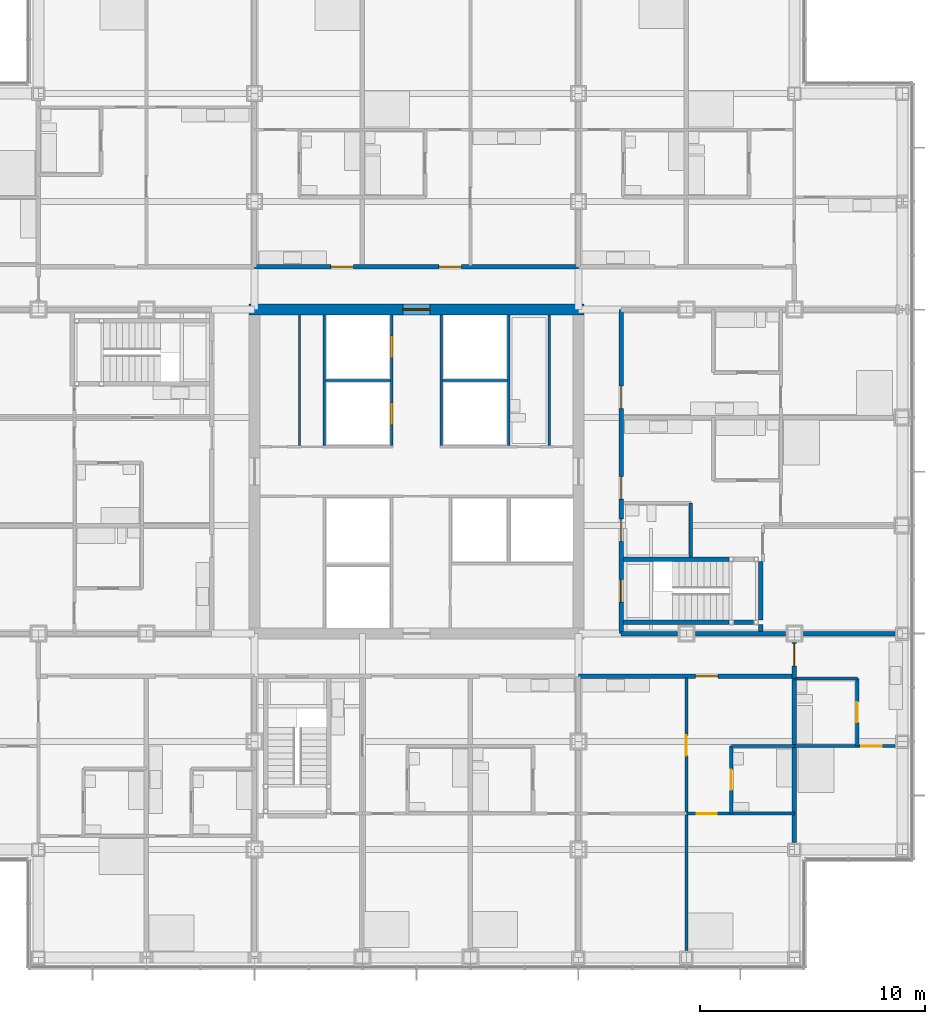
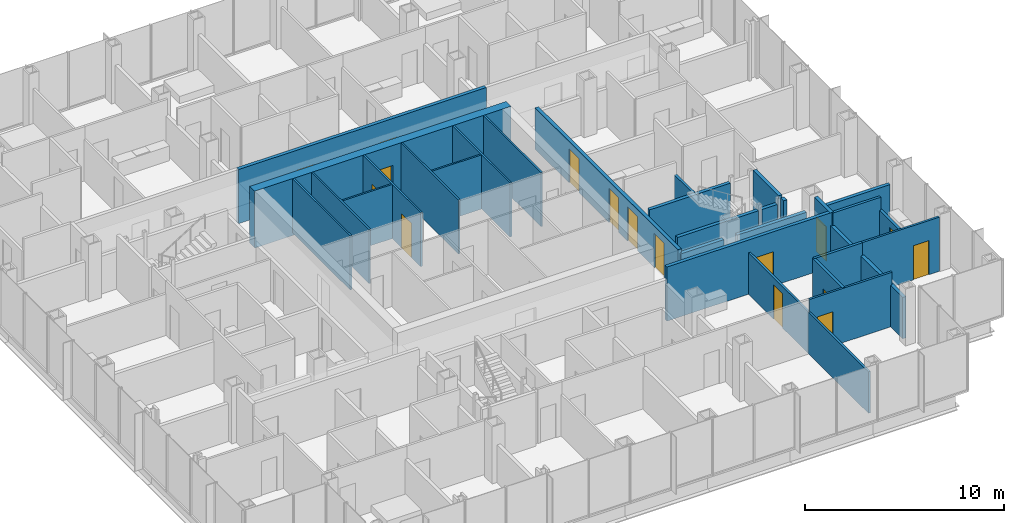
# One storey, part 16 of 21: 31 walls, 16 doors, 16 openings.
"""IFC4 building model written with IfcOpenShell, lengths in metres."""

from ifc_helpers import new_model, si_unit, direction, frame, frame_2d, origin, place, context, subcontext, project, spatial, rectangle, extrude, material, layer, layer_set, type_object, element, fill, save


model = new_model("IFC4")

# Units and contexts
model_context = context("Model", 3, precision=1e-05, world=origin(), true_north=direction((0.0, 1.0)))
body_context = subcontext(model_context, "Body", "Model", "MODEL_VIEW")
ifc_project = project(units=[si_unit("LENGTHUNIT", "METRE"), si_unit("AREAUNIT", "SQUARE_METRE"), si_unit("VOLUMEUNIT", "CUBIC_METRE"), si_unit("PLANEANGLEUNIT", "RADIAN"), si_unit("MASSUNIT", "GRAM", prefix="KILO")], contexts=[model_context])

# Site, building, storey
site_placement = place(None, origin())
site = spatial("IfcSite", under=ifc_project, at=site_placement, CompositionType="ELEMENT")
building_placement = place(site_placement, origin())
building = spatial("IfcBuilding", under=site, at=building_placement, Name="Kvirike Care Tower", CompositionType="ELEMENT")
storey_placement = place(building_placement, frame((0.0, 0.0, 27.0)))
storey = spatial("IfcBuildingStorey", under=building, at=storey_placement, Name="L06", CompositionType="ELEMENT", Elevation=27.0)

# Wall, opening, door
ifc_material_1 = material(Name="Moisture-resistant board partition", Category="gypsum")
ifc_layer_1 = layer(ifc_material_1, 0.14990234375)
ifc_layer_set_1 = layer_set([ifc_layer_1], Name="BATHROOM WALL 150")
wall_type_1 = type_object("IfcWallType", Name="BATHROOM WALL 150", PredefinedType="PARTITIONING", material=ifc_layer_set_1)
wall_1_placement = place(storey_placement, frame((35.60009765625, 20.800048828125, 0.0), z_axis=(0.0, 0.0, 1.0), x_axis=(0.0, 1.0, 0.0)))
wall_1 = element("IfcWall", 1, at=wall_1_placement, inside=storey, type_object=wall_type_1, Name="Bathroom Wall 150 L06", PredefinedType="PARTITIONING", context=body_context, shape_type="SweptSolid", body=[
    extrude(rectangle(XDim=3.0, YDim=0.14990234375, at=frame_2d((1.5, 0.0))), origin(), (0.0, 0.0, 1.0), 3.330078125),
])
opening_1_placement = place(wall_1_placement, frame((1.050048828125, 0.0, 0.0)))
opening_1 = element("IfcOpeningElement", 2, at=opening_1_placement, cuts=wall_1, Name="Opening 06-043", PredefinedType="OPENING", context=body_context, shape_type="SweptSolid", body=[
    extrude(rectangle(XDim=0.89990234375, YDim=2.10009765625, at=frame_2d((0.449951171875, 1.050048828125))), frame((0.0, 0.08544921875, 0.0), z_axis=(0.0, -1.0, 0.0), x_axis=(1.0, 0.0, 0.0)), (0.0, 0.0, 1.0), 0.1708984375),
])
ifc_material_2 = material(Name="Timber door set", Category="wood")
door_type_1 = type_object("IfcDoorType", Name="BATHROOM DOOR 900", OperationType="SINGLE_SWING_RIGHT", PredefinedType="DOOR", material=ifc_material_2)
door_1_placement = place(opening_1_placement, frame((0.89990234375, 0.0, 0.0), z_axis=(0.0, 0.0, 1.0), x_axis=(-1.0, 0.0, 0.0)))
door_1 = element("IfcDoor", 3, at=door_1_placement, inside=storey, type_object=door_type_1, Name="Bathroom door", OperationType="SINGLE_SWING_LEFT", OverallHeight=2.10009765625, OverallWidth=0.89990234375, PredefinedType="DOOR", context=body_context, shape_type="SweptSolid", body=[
    extrude(rectangle(XDim=0.89990234375, YDim=2.10009765625, at=frame_2d((0.449951171875, 1.050048828125))), frame((0.0, 0.02197265625, 0.0), z_axis=(0.0, -1.0, 0.0), x_axis=(1.0, 0.0, 0.0)), (0.0, 0.0, 1.0), 0.0439453125),
])
fill(opening_1, door_1)

# Wall
wall_2_placement = place(storey_placement, frame((35.60009765625, 23.800048828125, 0.0), z_axis=(0.0, 0.0, 1.0), x_axis=(1.0, 0.0, 0.0)))
element("IfcWall", 4, at=wall_2_placement, inside=storey, type_object=wall_type_1, Name="Bathroom Wall 150 L06", PredefinedType="PARTITIONING", context=body_context, shape_type="SweptSolid", body=[
    extrude(rectangle(XDim=2.7998046875, YDim=0.14990234375, at=frame_2d((1.39990234375, 0.0))), origin(), (0.0, 0.0, 1.0), 3.330078125),
])

# Wall, opening, door
wall_3_placement = place(storey_placement, frame((41.199951171875, 23.800048828125, 0.0), z_axis=(0.0, 0.0, 1.0), x_axis=(0.0, 1.0, 0.0)))
wall_3 = element("IfcWall", 5, at=wall_3_placement, inside=storey, type_object=wall_type_1, Name="Bathroom Wall 150 L06", PredefinedType="PARTITIONING", context=body_context, shape_type="SweptSolid", body=[
    extrude(rectangle(XDim=3.0, YDim=0.14990234375, at=frame_2d((1.5, 0.0))), origin(), (0.0, 0.0, 1.0), 2.550048828125),
])
opening_2_placement = place(wall_3_placement, frame((1.050048828125, 0.0, 0.0)))
opening_2 = element("IfcOpeningElement", 6, at=opening_2_placement, cuts=wall_3, Name="Opening 06-047", PredefinedType="OPENING", context=body_context, shape_type="SweptSolid", body=[
    extrude(rectangle(XDim=0.89990234375, YDim=2.10009765625, at=frame_2d((0.449951171875, 1.050048828125))), frame((0.0, 0.08544921875, 0.0), z_axis=(0.0, -1.0, 0.0), x_axis=(1.0, 0.0, 0.0)), (0.0, 0.0, 1.0), 0.1708984375),
])
door_2_placement = place(opening_2_placement, origin())
door_2 = element("IfcDoor", 7, at=door_2_placement, inside=storey, type_object=door_type_1, Name="Bathroom door", OperationType="SINGLE_SWING_RIGHT", OverallHeight=2.10009765625, OverallWidth=0.89990234375, PredefinedType="DOOR", context=body_context, shape_type="SweptSolid", body=[
    extrude(rectangle(XDim=0.89990234375, YDim=2.10009765625, at=frame_2d((0.449951171875, 1.050048828125))), frame((0.0, 0.02197265625, 0.0), z_axis=(0.0, -1.0, 0.0), x_axis=(1.0, 0.0, 0.0)), (0.0, 0.0, 1.0), 0.0439453125),
])
fill(opening_2, door_2)

# Walls
wall_4_placement = place(storey_placement, frame((38.39990234375, 26.800048828125, 0.0), z_axis=(0.0, 0.0, 1.0), x_axis=(1.0, 0.0, 0.0)))
element("IfcWall", 8, at=wall_4_placement, inside=storey, type_object=wall_type_1, Name="Bathroom Wall 150 L06", PredefinedType="PARTITIONING", context=body_context, shape_type="SweptSolid", body=[
    extrude(rectangle(XDim=2.800048828125, YDim=0.14990234375, at=frame_2d((1.39990234375, 0.0))), origin(), (0.0, 0.0, 1.0), 3.330078125),
])
wall_5_placement = place(storey_placement, frame((33.800048828125, 32.199951171875, 0.0), z_axis=(0.0, 0.0, 1.0), x_axis=(0.0, 1.0, 0.0)))
element("IfcWall", 9, at=wall_5_placement, inside=storey, type_object=wall_type_1, Name="Bathroom Wall 150 L06", PredefinedType="PARTITIONING", context=body_context, shape_type="SweptSolid", body=[
    extrude(rectangle(XDim=2.400146484375, YDim=0.14990234375, at=frame_2d((1.2001953125, 0.0))), origin(), (0.0, 0.0, 1.0), 2.550048828125),
])

# Wall, opening, door
ifc_material_3 = material(Name="Concrete C60/75", Category="concrete")
ifc_layer_2 = layer(ifc_material_3, 0.5)
ifc_layer_set_2 = layer_set([ifc_layer_2], Name="CORE WALL 500 C60-75")
wall_type_2 = type_object("IfcWallType", Name="CORE WALL 500 C60-75", PredefinedType="SHEAR", material=ifc_layer_set_2)
wall_6_placement = place(storey_placement, frame((29.050048828125, 43.199951171875, -0.169921875), z_axis=(0.0, 0.0, 1.0), x_axis=(-1.0, 0.0, 0.0)))
wall_6 = element("IfcWall", 10, at=wall_6_placement, inside=storey, type_object=wall_type_2, Name="Core wall N L06", PredefinedType="SHEAR", context=body_context, shape_type="SweptSolid", body=[
    extrude(rectangle(XDim=14.900146484375, YDim=0.5, at=frame_2d((7.4501953125, 0.0))), origin(), (0.0, 0.0, 1.0), 3.5),
])
opening_3_placement = place(wall_6_placement, frame((6.85009765625, 0.0, 0.169921875)))
opening_3 = element("IfcOpeningElement", 11, at=opening_3_placement, cuts=wall_6, Name="Opening 06-082", PredefinedType="OPENING", context=body_context, shape_type="SweptSolid", body=[
    extrude(rectangle(XDim=1.199951171875, YDim=2.10009765625, at=frame_2d((0.60009765625, 1.050048828125))), frame((0.0, 0.260498046875, 0.0), z_axis=(0.0, -1.0, 0.0), x_axis=(1.0, 0.0, 0.0)), (0.0, 0.0, 1.0), 0.52099609375),
])
ifc_material_4 = material(Name="Timber door set", Category="wood")
door_type_2 = type_object("IfcDoorType", Name="CORE DOOR 1200", OperationType="SINGLE_SWING_LEFT", PredefinedType="DOOR", material=ifc_material_4)
door_3_placement = place(opening_3_placement, origin())
door_3 = element("IfcDoor", 12, at=door_3_placement, inside=storey, type_object=door_type_2, Name="Core door N L06", OperationType="SINGLE_SWING_LEFT", OverallHeight=2.10009765625, OverallWidth=1.199951171875, PredefinedType="DOOR", context=body_context, shape_type="SweptSolid", body=[
    extrude(rectangle(XDim=1.199951171875, YDim=2.10009765625, at=frame_2d((0.60009765625, 1.050048828125))), frame((0.0, 0.02685546875, 0.0), z_axis=(0.0, -1.0, 0.0), x_axis=(1.0, 0.0, 0.0)), (0.0, 0.0, 1.0), 0.053955078125),
])
fill(opening_3, door_3)

# Wall, openings, doors
ifc_material_5 = material(Name="Plasterboard corridor wall", Category="gypsum")
ifc_layer_3 = layer(ifc_material_5, 0.199951171875)
ifc_layer_set_3 = layer_set([ifc_layer_3], Name="CORRIDOR WALL 200")
wall_type_3 = type_object("IfcWallType", Name="CORRIDOR WALL 200", PredefinedType="PARTITIONING", material=ifc_layer_set_3)
wall_7_placement = place(storey_placement, frame((28.800048828125, 45.10009765625, 0.0), z_axis=(0.0, 0.0, 1.0), x_axis=(-1.0, 0.0, 0.0)))
wall_7 = element("IfcWall", 13, at=wall_7_placement, inside=storey, type_object=wall_type_3, Name="Corridor Wall 200 L06", PredefinedType="PARTITIONING", context=body_context, shape_type="SweptSolid", body=[
    extrude(rectangle(XDim=14.400146484375, YDim=0.199951171875, at=frame_2d((7.2001953125, 0.0))), origin(), (0.0, 0.0, 1.0), 3.330078125),
])
opening_4_placement = place(wall_7_placement, frame((5.199951171875, 0.0, 0.0)))
opening_4 = element("IfcOpeningElement", 14, at=opening_4_placement, cuts=wall_7, Name="Opening 06-041", PredefinedType="OPENING", context=body_context, shape_type="SweptSolid", body=[
    extrude(rectangle(XDim=1.0, YDim=2.10009765625, at=frame_2d((0.5, 1.050048828125))), frame((0.0, 0.110595703125, 0.0), z_axis=(0.0, -1.0, 0.0), x_axis=(1.0, 0.0, 0.0)), (0.0, 0.0, 1.0), 0.220947265625),
])
opening_5_placement = place(wall_7_placement, frame((10.0, 0.0, 0.0)))
opening_5 = element("IfcOpeningElement", 15, at=opening_5_placement, cuts=wall_7, Name="Opening 06-042", PredefinedType="OPENING", context=body_context, shape_type="SweptSolid", body=[
    extrude(rectangle(XDim=1.0, YDim=2.10009765625, at=frame_2d((0.5, 1.050048828125))), frame((0.0, 0.110595703125, 0.0), z_axis=(0.0, -1.0, 0.0), x_axis=(1.0, 0.0, 0.0)), (0.0, 0.0, 1.0), 0.220947265625),
])
ifc_material_6 = material(Name="Timber door set", Category="wood")
door_type_3 = type_object("IfcDoorType", Name="FLAT ENTRANCE DOOR 1000", OperationType="SINGLE_SWING_LEFT", PredefinedType="DOOR", material=ifc_material_6)
door_4_placement = place(opening_4_placement, frame((1.0, 0.0, 0.0), z_axis=(0.0, 0.0, 1.0), x_axis=(-1.0, 0.0, 0.0)))
door_4 = element("IfcDoor", 16, at=door_4_placement, inside=storey, type_object=door_type_3, Name="One-bedroom apartment entrance", OperationType="SINGLE_SWING_LEFT", OverallHeight=2.10009765625, OverallWidth=1.0, PredefinedType="DOOR", context=body_context, shape_type="SweptSolid", body=[
    extrude(rectangle(XDim=1.0, YDim=2.10009765625, at=frame_2d((0.5, 1.050048828125))), frame((0.0, 0.02685546875, 0.0), z_axis=(0.0, -1.0, 0.0), x_axis=(1.0, 0.0, 0.0)), (0.0, 0.0, 1.0), 0.053955078125),
])
fill(opening_4, door_4)
door_5_placement = place(opening_5_placement, frame((1.0, 0.0, 0.0), z_axis=(0.0, 0.0, 1.0), x_axis=(-1.0, 0.0, 0.0)))
door_5 = element("IfcDoor", 17, at=door_5_placement, inside=storey, type_object=door_type_3, Name="Studio apartment entrance", OperationType="SINGLE_SWING_LEFT", OverallHeight=2.10009765625, OverallWidth=1.0, PredefinedType="DOOR", context=body_context, shape_type="SweptSolid", body=[
    extrude(rectangle(XDim=1.0, YDim=2.10009765625, at=frame_2d((0.5, 1.050048828125))), frame((0.0, 0.02685546875, 0.0), z_axis=(0.0, -1.0, 0.0), x_axis=(1.0, 0.0, 0.0)), (0.0, 0.0, 1.0), 0.053955078125),
])
fill(opening_5, door_5)

# Wall, opening, door
wall_8_placement = place(storey_placement, frame((28.800048828125, 26.89990234375, 0.0), z_axis=(0.0, 0.0, 1.0), x_axis=(1.0, 0.0, 0.0)))
wall_8 = element("IfcWall", 18, at=wall_8_placement, inside=storey, type_object=wall_type_3, Name="Corridor Wall 200 L06", PredefinedType="PARTITIONING", context=body_context, shape_type="SweptSolid", body=[
    extrude(rectangle(XDim=9.599853515625, YDim=0.199951171875, at=frame_2d((4.7998046875, 0.0))), origin(), (0.0, 0.0, 1.0), 3.330078125),
])
opening_6_placement = place(wall_8_placement, frame((5.199951171875, 0.0, 0.0)))
opening_6 = element("IfcOpeningElement", 19, at=opening_6_placement, cuts=wall_8, Name="Opening 06-049", PredefinedType="OPENING", context=body_context, shape_type="SweptSolid", body=[
    extrude(rectangle(XDim=1.0, YDim=2.10009765625, at=frame_2d((0.5, 1.050048828125))), frame((0.0, 0.110595703125, 0.0), z_axis=(0.0, -1.0, 0.0), x_axis=(1.0, 0.0, 0.0)), (0.0, 0.0, 1.0), 0.220947265625),
])
door_6_placement = place(opening_6_placement, frame((1.0, 0.0, 0.0), z_axis=(0.0, 0.0, 1.0), x_axis=(-1.0, 0.0, 0.0)))
door_6 = element("IfcDoor", 20, at=door_6_placement, inside=storey, type_object=door_type_3, Name="One-bedroom apartment entrance", OperationType="SINGLE_SWING_LEFT", OverallHeight=2.10009765625, OverallWidth=1.0, PredefinedType="DOOR", context=body_context, shape_type="SweptSolid", body=[
    extrude(rectangle(XDim=1.0, YDim=2.10009765625, at=frame_2d((0.5, 1.050048828125))), frame((0.0, 0.02685546875, 0.0), z_axis=(0.0, -1.0, 0.0), x_axis=(1.0, 0.0, 0.0)), (0.0, 0.0, 1.0), 0.053955078125),
])
fill(opening_6, door_6)

wall_9_placement = place(storey_placement, frame((38.39990234375, 26.800048828125, 0.0), z_axis=(0.0, 0.0, 1.0), x_axis=(0.0, 1.0, 0.0)))
wall_9 = element("IfcWall", 21, at=wall_9_placement, inside=storey, type_object=wall_type_3, Name="Corridor Wall 200 L06", PredefinedType="PARTITIONING", context=body_context, shape_type="SweptSolid", body=[
    extrude(rectangle(XDim=1.60498046875, YDim=0.199951171875, at=frame_2d((0.802490234375, 0.0))), origin(), (0.0, 0.0, 1.0), 3.330078125),
])
opening_7_placement = place(wall_9_placement, frame((0.550048828125, 0.0, 0.0)))
opening_7 = element("IfcOpeningElement", 22, at=opening_7_placement, cuts=wall_9, Name="Opening 06-050", PredefinedType="OPENING", context=body_context, shape_type="SweptSolid", body=[
    extrude(rectangle(XDim=1.0, YDim=2.10009765625, at=frame_2d((0.5, 1.050048828125))), frame((0.0, 0.110595703125, 0.0), z_axis=(0.0, -1.0, 0.0), x_axis=(1.0, 0.0, 0.0)), (0.0, 0.0, 1.0), 0.220947265625),
])
door_7_placement = place(opening_7_placement, frame((1.0, 0.0, 0.0), z_axis=(0.0, 0.0, 1.0), x_axis=(-1.0, 0.0, 0.0)))
door_7 = element("IfcDoor", 23, at=door_7_placement, inside=storey, type_object=door_type_3, Name="Studio apartment entrance", OperationType="SINGLE_SWING_RIGHT", OverallHeight=2.10009765625, OverallWidth=1.0, PredefinedType="DOOR", context=body_context, shape_type="SweptSolid", body=[
    extrude(rectangle(XDim=1.0, YDim=2.10009765625, at=frame_2d((0.5, 1.050048828125))), frame((0.0, 0.02685546875, 0.0), z_axis=(0.0, -1.0, 0.0), x_axis=(1.0, 0.0, 0.0)), (0.0, 0.0, 1.0), 0.053955078125),
])
fill(opening_7, door_7)

# Wall, openings, doors
wall_10_placement = place(storey_placement, frame((30.699951171875, 28.800048828125, 0.0), z_axis=(0.0, 0.0, 1.0), x_axis=(0.0, 1.0, 0.0)))
wall_10 = element("IfcWall", 24, at=wall_10_placement, inside=storey, type_object=wall_type_3, Name="Corridor Wall 200 L06", PredefinedType="PARTITIONING", context=body_context, shape_type="SweptSolid", body=[
    extrude(rectangle(XDim=14.39990234375, YDim=0.199951171875, at=frame_2d((7.199951171875, 0.0))), origin(), (0.0, 0.0, 1.0), 2.550048828125),
])
opening_8_placement = place(wall_10_placement, frame((1.39990234375, 0.0, 0.0)))
opening_8 = element("IfcOpeningElement", 25, at=opening_8_placement, cuts=wall_10, Name="Opening 06-056", PredefinedType="OPENING", context=body_context, shape_type="SweptSolid", body=[
    extrude(rectangle(XDim=1.0, YDim=2.10009765625, at=frame_2d((0.5, 1.050048828125))), frame((0.0, 0.110595703125, 0.0), z_axis=(0.0, -1.0, 0.0), x_axis=(1.0, 0.0, 0.0)), (0.0, 0.0, 1.0), 0.220947265625),
])
opening_9_placement = place(wall_10_placement, frame((4.10009765625, 0.0, 0.0)))
opening_9 = element("IfcOpeningElement", 26, at=opening_9_placement, cuts=wall_10, Name="Opening 06-057", PredefinedType="OPENING", context=body_context, shape_type="SweptSolid", body=[
    extrude(rectangle(XDim=1.0, YDim=2.10009765625, at=frame_2d((0.5, 1.050048828125))), frame((0.0, 0.110595703125, 0.0), z_axis=(0.0, -1.0, 0.0), x_axis=(1.0, 0.0, 0.0)), (0.0, 0.0, 1.0), 0.220947265625),
])
opening_10_placement = place(wall_10_placement, frame((5.97509765625, 0.0, 0.0)))
opening_10 = element("IfcOpeningElement", 27, at=opening_10_placement, cuts=wall_10, Name="Opening 06-058", PredefinedType="OPENING", context=body_context, shape_type="SweptSolid", body=[
    extrude(rectangle(XDim=1.0, YDim=2.10009765625, at=frame_2d((0.5, 1.050048828125))), frame((0.0, 0.110595703125, 0.0), z_axis=(0.0, -1.0, 0.0), x_axis=(1.0, 0.0, 0.0)), (0.0, 0.0, 1.0), 0.220947265625),
])
opening_11_placement = place(wall_10_placement, frame((10.0, 0.0, 0.0)))
opening_11 = element("IfcOpeningElement", 28, at=opening_11_placement, cuts=wall_10, Name="Opening 06-059", PredefinedType="OPENING", context=body_context, shape_type="SweptSolid", body=[
    extrude(rectangle(XDim=1.0, YDim=2.10009765625, at=frame_2d((0.5, 1.050048828125))), frame((0.0, 0.110595703125, 0.0), z_axis=(0.0, -1.0, 0.0), x_axis=(1.0, 0.0, 0.0)), (0.0, 0.0, 1.0), 0.220947265625),
])
door_8_placement = place(opening_10_placement, frame((1.0, 0.0, 0.0), z_axis=(0.0, 0.0, 1.0), x_axis=(-1.0, 0.0, 0.0)))
door_8 = element("IfcDoor", 29, at=door_8_placement, inside=storey, type_object=door_type_3, Name="One-bedroom apartment entrance", OperationType="SINGLE_SWING_LEFT", OverallHeight=2.10009765625, OverallWidth=1.0, PredefinedType="DOOR", context=body_context, shape_type="SweptSolid", body=[
    extrude(rectangle(XDim=1.0, YDim=2.10009765625, at=frame_2d((0.5, 1.050048828125))), frame((0.0, 0.02685546875, 0.0), z_axis=(0.0, -1.0, 0.0), x_axis=(1.0, 0.0, 0.0)), (0.0, 0.0, 1.0), 0.053955078125),
])
fill(opening_10, door_8)
door_9_placement = place(opening_11_placement, frame((1.0, 0.0, 0.0), z_axis=(0.0, 0.0, 1.0), x_axis=(-1.0, 0.0, 0.0)))
door_9 = element("IfcDoor", 30, at=door_9_placement, inside=storey, type_object=door_type_3, Name="Studio apartment entrance", OperationType="SINGLE_SWING_LEFT", OverallHeight=2.10009765625, OverallWidth=1.0, PredefinedType="DOOR", context=body_context, shape_type="SweptSolid", body=[
    extrude(rectangle(XDim=1.0, YDim=2.10009765625, at=frame_2d((0.5, 1.050048828125))), frame((0.0, 0.02685546875, 0.0), z_axis=(0.0, -1.0, 0.0), x_axis=(1.0, 0.0, 0.0)), (0.0, 0.0, 1.0), 0.053955078125),
])
fill(opening_11, door_9)
ifc_material_7 = material(Name="Timber door set", Category="wood")
door_type_4 = type_object("IfcDoorType", Name="STAIR DOOR 1000", OperationType="SINGLE_SWING_LEFT", PredefinedType="DOOR", material=ifc_material_7)
door_10_placement = place(opening_8_placement, frame((1.0, 0.0, 0.0), z_axis=(0.0, 0.0, 1.0), x_axis=(-1.0, 0.0, 0.0)))
door_10 = element("IfcDoor", 31, at=door_10_placement, inside=storey, type_object=door_type_4, Name="Stair 2 door", OperationType="SINGLE_SWING_RIGHT", OverallHeight=2.10009765625, OverallWidth=1.0, PredefinedType="DOOR", context=body_context, shape_type="SweptSolid", body=[
    extrude(rectangle(XDim=1.0, YDim=2.10009765625, at=frame_2d((0.5, 1.050048828125))), frame((0.0, 0.031982421875, 0.0), z_axis=(0.0, -1.0, 0.0), x_axis=(1.0, 0.0, 0.0)), (0.0, 0.0, 1.0), 0.06396484375),
])
fill(opening_8, door_10)
ifc_material_8 = material(Name="Timber door set", Category="wood")
door_type_5 = type_object("IfcDoorType", Name="WC DOOR 1000", OperationType="SINGLE_SWING_LEFT", PredefinedType="DOOR", material=ifc_material_8)
door_11_placement = place(opening_9_placement, frame((1.0, 0.0, 0.0), z_axis=(0.0, 0.0, 1.0), x_axis=(-1.0, 0.0, 0.0)))
door_11 = element("IfcDoor", 32, at=door_11_placement, inside=storey, type_object=door_type_5, Name="Accessible WC door", OperationType="SINGLE_SWING_LEFT", OverallHeight=2.10009765625, OverallWidth=1.0, PredefinedType="DOOR", context=body_context, shape_type="SweptSolid", body=[
    extrude(rectangle(XDim=1.0, YDim=2.10009765625, at=frame_2d((0.5, 1.050048828125))), frame((0.0, 0.02685546875, 0.0), z_axis=(0.0, -1.0, 0.0), x_axis=(1.0, 0.0, 0.0)), (0.0, 0.0, 1.0), 0.053955078125),
])
fill(opening_9, door_11)

# Wall, opening, door
ifc_material_9 = material(Name="Plasterboard partition", Category="gypsum")
ifc_layer_4 = layer(ifc_material_9, 0.1201171875)
ifc_layer_set_4 = layer_set([ifc_layer_4], Name="PARTITION 120")
wall_type_4 = type_object("IfcWallType", Name="PARTITION 120", PredefinedType="PARTITIONING", material=ifc_layer_set_4)
wall_11_placement = place(storey_placement, frame((33.60009765625, 20.800048828125, 0.0), z_axis=(0.0, 0.0, 1.0), x_axis=(0.0, 1.0, 0.0)))
wall_11 = element("IfcWall", 33, at=wall_11_placement, inside=storey, type_object=wall_type_4, Name="Partition 120 L06", PredefinedType="PARTITIONING", context=body_context, shape_type="SweptSolid", body=[
    extrude(rectangle(XDim=6.050048828125, YDim=0.1201171875, at=frame_2d((3.02490234375, 0.0))), origin(), (0.0, 0.0, 1.0), 2.550048828125),
])
opening_12_placement = place(wall_11_placement, frame((2.574951171875, 0.0, 0.0)))
opening_12 = element("IfcOpeningElement", 34, at=opening_12_placement, cuts=wall_11, Name="Opening 06-044", PredefinedType="OPENING", context=body_context, shape_type="SweptSolid", body=[
    extrude(rectangle(XDim=0.89990234375, YDim=2.10009765625, at=frame_2d((0.449951171875, 1.050048828125))), frame((0.0, 0.070556640625, 0.0), z_axis=(0.0, -1.0, 0.0), x_axis=(1.0, 0.0, 0.0)), (0.0, 0.0, 1.0), 0.14111328125),
])
ifc_material_10 = material(Name="Timber door set", Category="wood")
door_type_6 = type_object("IfcDoorType", Name="INTERNAL DOOR 900", OperationType="SINGLE_SWING_LEFT", PredefinedType="DOOR", material=ifc_material_10)
door_12_placement = place(opening_12_placement, frame((0.89990234375, 0.0, 0.0), z_axis=(0.0, 0.0, 1.0), x_axis=(-1.0, 0.0, 0.0)))
door_12 = element("IfcDoor", 35, at=door_12_placement, inside=storey, type_object=door_type_6, Name="Hall door", OperationType="SINGLE_SWING_RIGHT", OverallHeight=2.10009765625, OverallWidth=0.89990234375, PredefinedType="DOOR", context=body_context, shape_type="SweptSolid", body=[
    extrude(rectangle(XDim=0.89990234375, YDim=2.10009765625, at=frame_2d((0.449951171875, 1.050048828125))), frame((0.0, 0.02197265625, 0.0), z_axis=(0.0, -1.0, 0.0), x_axis=(1.0, 0.0, 0.0)), (0.0, 0.0, 1.0), 0.0439453125),
])
fill(opening_12, door_12)

wall_12_placement = place(storey_placement, frame((33.60009765625, 20.800048828125, 0.0), z_axis=(0.0, 0.0, 1.0), x_axis=(1.0, 0.0, 0.0)))
wall_12 = element("IfcWall", 36, at=wall_12_placement, inside=storey, type_object=wall_type_4, Name="Partition 120 L06", PredefinedType="PARTITIONING", context=body_context, shape_type="SweptSolid", body=[
    extrude(rectangle(XDim=4.7998046875, YDim=0.1201171875, at=frame_2d((2.39990234375, 0.0))), origin(), (0.0, 0.0, 1.0), 3.330078125),
])
opening_13_placement = place(wall_12_placement, frame((0.449951171875, 0.0, 0.0)))
opening_13 = element("IfcOpeningElement", 37, at=opening_13_placement, cuts=wall_12, Name="Opening 06-046", PredefinedType="OPENING", context=body_context, shape_type="SweptSolid", body=[
    extrude(rectangle(XDim=0.89990234375, YDim=2.10009765625, at=frame_2d((0.449951171875, 1.050048828125))), frame((0.0, 0.070556640625, 0.0), z_axis=(0.0, -1.0, 0.0), x_axis=(1.0, 0.0, 0.0)), (0.0, 0.0, 1.0), 0.14111328125),
])
door_13_placement = place(opening_13_placement, origin())
door_13 = element("IfcDoor", 38, at=door_13_placement, inside=storey, type_object=door_type_6, Name="Apartment bedroom door", OperationType="SINGLE_SWING_RIGHT", OverallHeight=2.10009765625, OverallWidth=0.89990234375, PredefinedType="DOOR", context=body_context, shape_type="SweptSolid", body=[
    extrude(rectangle(XDim=0.89990234375, YDim=2.10009765625, at=frame_2d((0.449951171875, 1.050048828125))), frame((0.0, 0.02197265625, 0.0), z_axis=(0.0, -1.0, 0.0), x_axis=(1.0, 0.0, 0.0)), (0.0, 0.0, 1.0), 0.0439453125),
])
fill(opening_13, door_13)

# Wall
wall_13_placement = place(storey_placement, frame((33.60009765625, 14.719970703125, 0.0), z_axis=(0.0, 0.0, 1.0), x_axis=(0.0, 1.0, 0.0)))
element("IfcWall", 39, at=wall_13_placement, inside=storey, type_object=wall_type_4, Name="Partition 120 L06", PredefinedType="PARTITIONING", context=body_context, shape_type="SweptSolid", body=[
    extrude(rectangle(XDim=6.080078125, YDim=0.1201171875, at=frame_2d((3.0400390625, 0.0))), origin(), (0.0, 0.0, 1.0), 2.550048828125),
])

# Wall, opening, door
wall_14_placement = place(storey_placement, frame((38.39990234375, 23.800048828125, 0.0), z_axis=(0.0, 0.0, 1.0), x_axis=(1.0, 0.0, 0.0)))
wall_14 = element("IfcWall", 40, at=wall_14_placement, inside=storey, type_object=wall_type_4, Name="Partition 120 L06", PredefinedType="PARTITIONING", context=body_context, shape_type="SweptSolid", body=[
    extrude(rectangle(XDim=4.47998046875, YDim=0.1201171875, at=frame_2d((2.239990234375, 0.0))), origin(), (0.0, 0.0, 1.0), 3.330078125),
])
opening_14_placement = place(wall_14_placement, frame((2.97509765625, 0.0, 0.0)))
opening_14 = element("IfcOpeningElement", 41, at=opening_14_placement, cuts=wall_14, Name="Opening 06-048", PredefinedType="OPENING", context=body_context, shape_type="SweptSolid", body=[
    extrude(rectangle(XDim=0.89990234375, YDim=2.10009765625, at=frame_2d((0.449951171875, 1.050048828125))), frame((0.0, 0.070556640625, 0.0), z_axis=(0.0, -1.0, 0.0), x_axis=(1.0, 0.0, 0.0)), (0.0, 0.0, 1.0), 0.14111328125),
])
door_14_placement = place(opening_14_placement, origin())
door_14 = element("IfcDoor", 42, at=door_14_placement, inside=storey, type_object=door_type_6, Name="Studio apartment living room door", OperationType="SINGLE_SWING_RIGHT", OverallHeight=2.10009765625, OverallWidth=0.89990234375, PredefinedType="DOOR", context=body_context, shape_type="SweptSolid", body=[
    extrude(rectangle(XDim=0.89990234375, YDim=2.10009765625, at=frame_2d((0.449951171875, 1.050048828125))), frame((0.0, 0.02197265625, 0.0), z_axis=(0.0, -1.0, 0.0), x_axis=(1.0, 0.0, 0.0)), (0.0, 0.0, 1.0), 0.0439453125),
])
fill(opening_14, door_14)

# Walls
ifc_material_11 = material(Name="Plasterboard party wall", Category="gypsum")
ifc_layer_5 = layer(ifc_material_11, 0.199951171875)
ifc_layer_set_5 = layer_set([ifc_layer_5], Name="PARTY WALL 200")
wall_type_5 = type_object("IfcWallType", Name="PARTY WALL 200", PredefinedType="PARTITIONING", material=ifc_layer_set_5)
wall_15_placement = place(storey_placement, frame((38.39990234375, 19.52001953125, 0.0), z_axis=(0.0, 0.0, 1.0), x_axis=(0.0, 1.0, 0.0)))
element("IfcWall", 43, at=wall_15_placement, inside=storey, type_object=wall_type_5, Name="Party Wall 200 L06", PredefinedType="PARTITIONING", context=body_context, shape_type="SweptSolid", body=[
    extrude(rectangle(XDim=7.280029296875, YDim=0.199951171875, at=frame_2d((3.64013671875, 0.0))), origin(), (0.0, 0.0, 1.0), 2.550048828125),
])
wall_16_placement = place(storey_placement, frame((42.8798828125, 28.800048828125, 0.0), z_axis=(0.0, 0.0, 1.0), x_axis=(-1.0, 0.0, 0.0)))
element("IfcWall", 44, at=wall_16_placement, inside=storey, type_object=wall_type_5, Name="Party Wall 200 L06", PredefinedType="PARTITIONING", context=body_context, shape_type="SweptSolid", body=[
    extrude(rectangle(XDim=4.0849609375, YDim=0.199951171875, at=frame_2d((2.04248046875, 0.0))), origin(), (0.0, 0.0, 1.0), 2.320068359375),
])
wall_17_placement = place(storey_placement, frame((38.0048828125, 28.800048828125, 0.0), z_axis=(0.0, 0.0, 1.0), x_axis=(-1.0, 0.0, 0.0)))
element("IfcWall", 45, at=wall_17_placement, inside=storey, type_object=wall_type_5, Name="Party Wall 200 L06", PredefinedType="PARTITIONING", context=body_context, shape_type="SweptSolid", body=[
    extrude(rectangle(XDim=4.009765625, YDim=0.199951171875, at=frame_2d((2.0048828125, 0.0))), origin(), (0.0, 0.0, 1.0), 2.320068359375),
])
wall_18_placement = place(storey_placement, frame((33.205078125, 28.800048828125, 0.0), z_axis=(0.0, 0.0, 1.0), x_axis=(-1.0, 0.0, 0.0)))
element("IfcWall", 46, at=wall_18_placement, inside=storey, type_object=wall_type_5, Name="Party Wall 200 L06", PredefinedType="PARTITIONING", context=body_context, shape_type="SweptSolid", body=[
    extrude(rectangle(XDim=2.505126953125, YDim=0.199951171875, at=frame_2d((1.25244140625, 0.0))), origin(), (0.0, 0.0, 1.0), 2.320068359375),
])
ifc_material_12 = material(Name="Gypsum shaft wall system", Category="gypsum")
ifc_layer_6 = layer(ifc_material_12, 0.10009765625)
ifc_layer_set_6 = layer_set([ifc_layer_6], Name="SHAFT WALL 100")
wall_type_6 = type_object("IfcWallType", Name="SHAFT WALL 100", PredefinedType="SOLIDWALL", material=ifc_layer_set_6)
for number, where, z_axis, x_axis, name in (
    (47, (16.39990234375, 37.14990234375, 0.0), (0.0, 0.0, 1.0), (0.0, 1.0, 0.0), "Shaft Wall 100 L06"),
    (48, (27.5, 37.14990234375, 0.0), (0.0, 0.0, 1.0), (0.0, 1.0, 0.0), "Shaft Wall 100 L06"),
):
    element("IfcWall", number, at=place(storey_placement, frame(where, z_axis=z_axis, x_axis=x_axis)), inside=storey, type_object=wall_type_6, Name=name, PredefinedType="SOLIDWALL", context=body_context, shape_type="SweptSolid", body=[
        extrude(rectangle(XDim=5.800048828125, YDim=0.10009765625, at=frame_2d((2.89990234375, 0.0))), origin(), (0.0, 0.0, 1.0), 3.330078125),
    ])

# Wall, openings, doors
wall_19_placement = place(storey_placement, frame((20.5, 37.14990234375, 0.0), z_axis=(0.0, 0.0, 1.0), x_axis=(0.0, 1.0, 0.0)))
wall_19 = element("IfcWall", 49, at=wall_19_placement, inside=storey, type_object=wall_type_6, Name="Shaft Wall 100 L06", PredefinedType="SOLIDWALL", context=body_context, shape_type="SweptSolid", body=[
    extrude(rectangle(XDim=5.800048828125, YDim=0.10009765625, at=frame_2d((2.89990234375, 0.0))), origin(), (0.0, 0.0, 1.0), 3.330078125),
])
opening_15_placement = place(wall_19_placement, frame((0.925048828125, 0.0, 0.0)))
opening_15 = element("IfcOpeningElement", 50, at=opening_15_placement, cuts=wall_19, Name="Opening 06-070", PredefinedType="OPENING", context=body_context, shape_type="SweptSolid", body=[
    extrude(rectangle(XDim=1.0, YDim=2.10009765625, at=frame_2d((0.5, 1.050048828125))), frame((0.0, 0.060546875, 0.0), z_axis=(0.0, -1.0, 0.0), x_axis=(1.0, 0.0, 0.0)), (0.0, 0.0, 1.0), 0.12109375),
])
opening_16_placement = place(wall_19_placement, frame((3.89990234375, 0.0, 0.0)))
opening_16 = element("IfcOpeningElement", 51, at=opening_16_placement, cuts=wall_19, Name="Opening 06-071", PredefinedType="OPENING", context=body_context, shape_type="SweptSolid", body=[
    extrude(rectangle(XDim=1.0, YDim=2.10009765625, at=frame_2d((0.5, 1.050048828125))), frame((0.0, 0.060546875, 0.0), z_axis=(0.0, -1.0, 0.0), x_axis=(1.0, 0.0, 0.0)), (0.0, 0.0, 1.0), 0.12109375),
])
ifc_material_13 = material(Name="Aluminium door frame", Category="aluminium")
door_type_7 = type_object("IfcDoorType", Name="LIFT LANDING DOOR 1000", OperationType="SLIDING_TO_LEFT", PredefinedType="DOOR", material=ifc_material_13)
door_15_placement = place(opening_15_placement, origin())
door_15 = element("IfcDoor", 52, at=door_15_placement, inside=storey, type_object=door_type_7, Name="Lift P1 landing door", OperationType="SLIDING_TO_LEFT", OverallHeight=2.10009765625, OverallWidth=1.0, PredefinedType="DOOR", context=body_context, shape_type="SweptSolid", body=[
    extrude(rectangle(XDim=1.0, YDim=2.10009765625, at=frame_2d((0.5, 1.050048828125))), frame((0.0, 0.0498046875, 0.0), z_axis=(0.0, -1.0, 0.0), x_axis=(1.0, 0.0, 0.0)), (0.0, 0.0, 1.0), 0.099609375),
])
fill(opening_15, door_15)
door_16_placement = place(opening_16_placement, origin())
door_16 = element("IfcDoor", 53, at=door_16_placement, inside=storey, type_object=door_type_7, Name="Lift P2 landing door", OperationType="SLIDING_TO_LEFT", OverallHeight=2.10009765625, OverallWidth=1.0, PredefinedType="DOOR", context=body_context, shape_type="SweptSolid", body=[
    extrude(rectangle(XDim=1.0, YDim=2.10009765625, at=frame_2d((0.5, 1.050048828125))), frame((0.0, 0.0498046875, 0.0), z_axis=(0.0, -1.0, 0.0), x_axis=(1.0, 0.0, 0.0)), (0.0, 0.0, 1.0), 0.099609375),
])
fill(opening_16, door_16)

# Walls
for number, where, z_axis, x_axis, name in (
    (54, (22.699951171875, 37.14990234375, 0.0), (0.0, 0.0, 1.0), (0.0, 1.0, 0.0), "Shaft Wall 100 L06"),
    (55, (17.5, 37.14990234375, 0.0), (0.0, 0.0, 1.0), (0.0, 1.0, 0.0), "Shaft Wall 100 L06"),
):
    element("IfcWall", number, at=place(storey_placement, frame(where, z_axis=z_axis, x_axis=x_axis)), inside=storey, type_object=wall_type_6, Name=name, PredefinedType="SOLIDWALL", context=body_context, shape_type="SweptSolid", body=[
        extrude(rectangle(XDim=5.800048828125, YDim=0.10009765625, at=frame_2d((2.89990234375, 0.0))), origin(), (0.0, 0.0, 1.0), 3.330078125),
    ])
for number, where, z_axis, x_axis, name in (
    (56, (17.550048828125, 40.050048828125, 0.0), (0.0, 0.0, 1.0), (1.0, 0.0, 0.0), "Shaft Wall 100 L06"),
    (57, (22.75, 40.050048828125, 0.0), (0.0, 0.0, 1.0), (1.0, 0.0, 0.0), "Shaft Wall 100 L06"),
):
    element("IfcWall", number, at=place(storey_placement, frame(where, z_axis=z_axis, x_axis=x_axis)), inside=storey, type_object=wall_type_6, Name=name, PredefinedType="SOLIDWALL", context=body_context, shape_type="SweptSolid", body=[
        extrude(rectangle(XDim=2.89990234375, YDim=0.10009765625, at=frame_2d((1.449951171875, 0.0))), origin(), (0.0, 0.0, 1.0), 3.330078125),
    ])
wall_20_placement = place(storey_placement, frame((25.699951171875, 37.14990234375, 0.0), z_axis=(0.0, 0.0, 1.0), x_axis=(0.0, 1.0, 0.0)))
element("IfcWall", 58, at=wall_20_placement, inside=storey, type_object=wall_type_6, Name="Shaft Wall 100 L06", PredefinedType="SOLIDWALL", context=body_context, shape_type="SweptSolid", body=[
    extrude(rectangle(XDim=5.800048828125, YDim=0.10009765625, at=frame_2d((2.89990234375, 0.0))), origin(), (0.0, 0.0, 1.0), 3.330078125),
])
ifc_material_14 = material(Name="Concrete C40/50", Category="concrete")
ifc_layer_7 = layer(ifc_material_14, 0.199951171875)
ifc_layer_set_7 = layer_set([ifc_layer_7], Name="STAIR WALL 200")
wall_type_7 = type_object("IfcWallType", Name="STAIR WALL 200", PredefinedType="SOLIDWALL", material=ifc_layer_set_7)
wall_21_placement = place(storey_placement, frame((36.60009765625, 29.300048828125, 0.0), z_axis=(0.0, 0.0, 1.0), x_axis=(-1.0, 0.0, 0.0)))
element("IfcWall", 59, at=wall_21_placement, inside=storey, type_object=wall_type_7, Name="Stair Wall 200 L06", PredefinedType="SOLIDWALL", context=body_context, shape_type="SweptSolid", body=[
    extrude(rectangle(XDim=0.900146484375, YDim=0.199951171875, at=frame_2d((0.4501953125, 0.0))), origin(), (0.0, 0.0, 1.0), 2.989990234375),
])
for number, where, z_axis, x_axis, name in (
    (60, (35.5, 29.300048828125, 0.0), (0.0, 0.0, 1.0), (-1.0, 0.0, 0.0), "Stair Wall 200 L06"),
    (61, (35.5, 32.10009765625, 0.0), (0.0, 0.0, 1.0), (-1.0, 0.0, 0.0), "Stair Wall 200 L06"),
):
    element("IfcWall", number, at=place(storey_placement, frame(where, z_axis=z_axis, x_axis=x_axis)), inside=storey, type_object=wall_type_7, Name=name, PredefinedType="SOLIDWALL", context=body_context, shape_type="SweptSolid", body=[
        extrude(rectangle(XDim=4.699951171875, YDim=0.199951171875, at=frame_2d((2.35009765625, 0.0))), origin(), (0.0, 0.0, 1.0), 2.989990234375),
    ])
wall_22_placement = place(storey_placement, frame((36.89990234375, 28.89990234375, 0.0), z_axis=(0.0, 0.0, 1.0), x_axis=(0.0, 1.0, 0.0)))
element("IfcWall", 62, at=wall_22_placement, inside=storey, type_object=wall_type_7, Name="Stair Wall 200 L06", PredefinedType="SOLIDWALL", context=body_context, shape_type="SweptSolid", body=[
    extrude(rectangle(XDim=0.300048828125, YDim=0.199951171875, at=frame_2d((0.14990234375, 0.0))), origin(), (0.0, 0.0, 1.0), 3.330078125),
])
wall_23_placement = place(storey_placement, frame((36.89990234375, 29.39990234375, 0.0), z_axis=(0.0, 0.0, 1.0), x_axis=(0.0, 1.0, 0.0)))
element("IfcWall", 63, at=wall_23_placement, inside=storey, type_object=wall_type_7, Name="Stair Wall 200 L06", PredefinedType="SOLIDWALL", context=body_context, shape_type="SweptSolid", body=[
    extrude(rectangle(XDim=2.60009765625, YDim=0.199951171875, at=frame_2d((1.300048828125, 0.0))), origin(), (0.0, 0.0, 1.0), 3.330078125),
])

save(model, "model.ifc")
